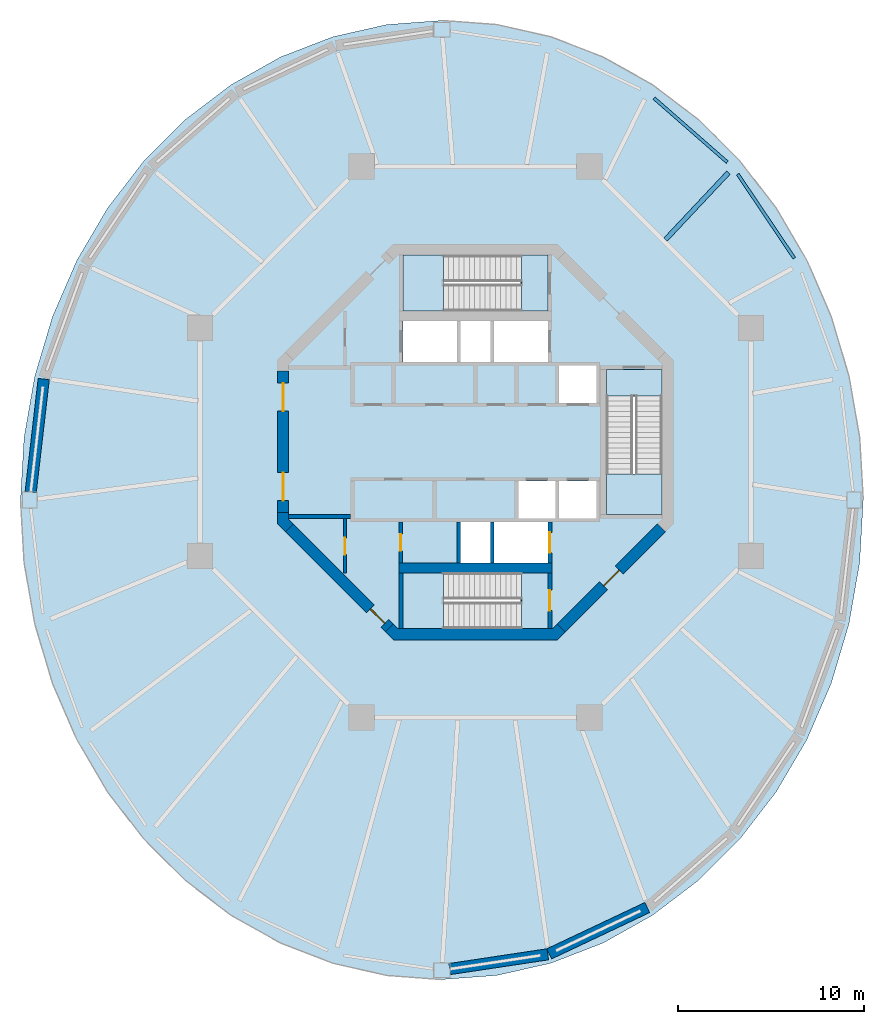
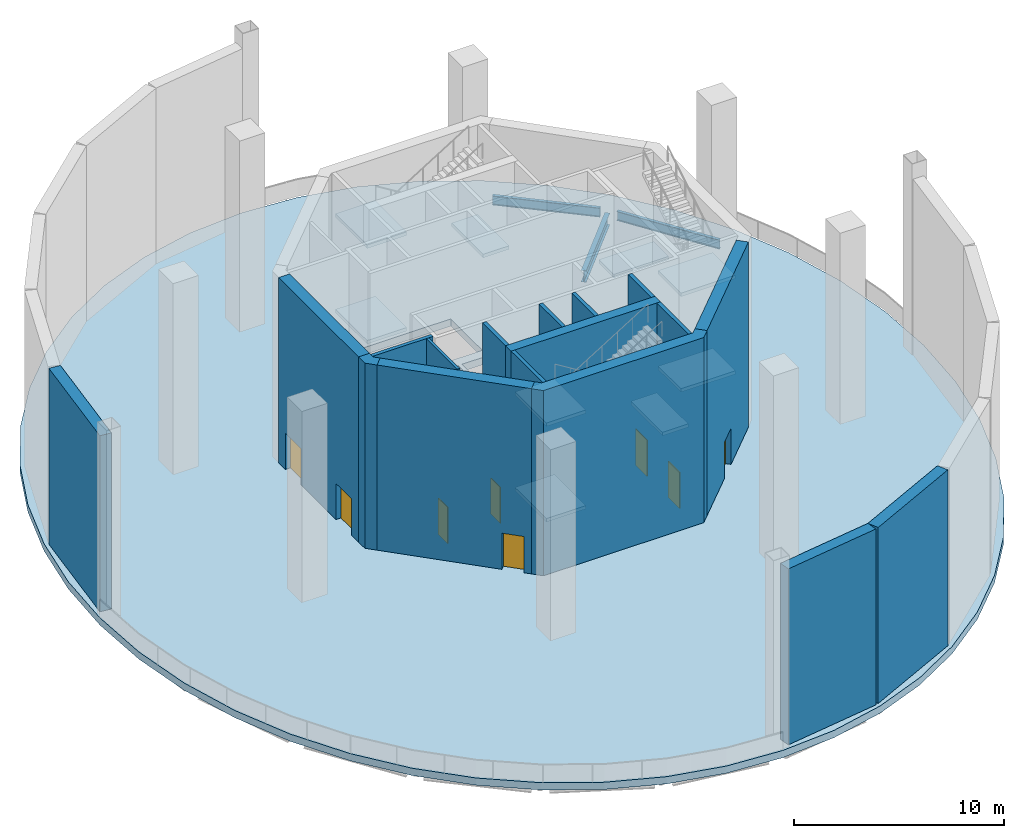
# One storey, part 2 of 7: 17 walls, 10 slabs, 8 doors, 3 beams, 8 openings, 3 elements without a shape of their own.
"""IFC4 building model written with IfcOpenShell, lengths in metres."""

from ifc_helpers import new_model, si_unit, direction, frame, frame_2d, origin, origin_2d, place, context, subcontext, project, spatial, polyline, rectangle, i_section, outline, extrude, material, layer, layer_set, material_profile, profile_set, type_object, element, fill, aggregate, save


model = new_model("IFC4")

# Units and contexts
model_context = context("Model", 3, precision=1e-05, world=origin(), true_north=direction((0.0, 1.0)))
body_context = subcontext(model_context, "Body", "Model", "MODEL_VIEW")
ifc_project = project(units=[si_unit("LENGTHUNIT", "METRE"), si_unit("AREAUNIT", "SQUARE_METRE"), si_unit("VOLUMEUNIT", "CUBIC_METRE"), si_unit("PLANEANGLEUNIT", "RADIAN"), si_unit("MASSUNIT", "GRAM", prefix="KILO")], contexts=[model_context])

# Site, building, storey
site_placement = place(None, origin())
site = spatial("IfcSite", under=ifc_project, at=site_placement, CompositionType="ELEMENT")
building_placement = place(site_placement, origin())
building = spatial("IfcBuilding", under=site, at=building_placement, Name="Nagisa Residences", CompositionType="ELEMENT")
storey_placement = place(building_placement, frame((0.0, 0.0, 299.199951171875)))
storey = spatial("IfcBuildingStorey", under=building, at=storey_placement, Name="L76", CompositionType="ELEMENT", Elevation=299.199951171875)

# Beams
ifc_material_1 = material(Name="Steel ASTM A572 Gr 50", Category="steel")
ifc_material_profile_1 = material_profile(ifc_material_1, i_section(OverallWidth=0.166015625, OverallDepth=0.534912109375, WebThickness=0.01025390625, FlangeThickness=0.0166015625, at=origin_2d()), Name="W530x85")
ifc_profile_set_1 = profile_set([ifc_material_profile_1], Name="Steel ASTM A572 Gr 50")
beam_type_1 = type_object("IfcBeamType", Name="Perimeter ring beam W530x85", PredefinedType="BEAM", material=ifc_profile_set_1)
beam_1_placement = place(storey_placement, frame((17.11474609375, 9.862060546875, -0.6875), z_axis=(-0.558066424866, 0.829796279479, 0.0), x_axis=(-0.829796279479, -0.558066424866, 0.0)))
element("IfcBeam", 1, at=beam_1_placement, inside=storey, type_object=beam_type_1, Name="beam:L76:pb03", PredefinedType="BEAM", context=body_context, shape_type="SweptSolid", body=[
    extrude(i_section(OverallWidth=0.166015625, OverallDepth=0.534912109375, WebThickness=0.01025390625, FlangeThickness=0.0166015625, at=origin_2d()), origin(), (0.0, 0.0, 1.0), 5.43212890625),
])
beam_2_placement = place(storey_placement, frame((13.514892578125, 15.015380859375, -0.6875), z_axis=(-0.752385480596, 0.658723074279, 0.0), x_axis=(-0.658723074279, -0.752385480596, 0.0)))
element("IfcBeam", 2, at=beam_2_placement, inside=storey, type_object=beam_type_1, Name="beam:L76:pb04", PredefinedType="BEAM", context=body_context, shape_type="SweptSolid", body=[
    extrude(i_section(OverallWidth=0.166015625, OverallDepth=0.534912109375, WebThickness=0.01025390625, FlangeThickness=0.0166015625, at=origin_2d()), origin(), (0.0, 0.0, 1.0), 5.220947265625),
])
ifc_material_2 = material(Name="Steel ASTM A572 Gr 50", Category="steel")
ifc_material_profile_2 = material_profile(ifc_material_2, i_section(OverallWidth=0.2529296875, OverallDepth=0.677978515625, WebThickness=0.01171875, FlangeThickness=0.016357421875, at=origin_2d()), Name="W690x125")
ifc_profile_set_2 = profile_set([ifc_material_profile_2], Name="Steel ASTM A572 Gr 50")
beam_type_2 = type_object("IfcBeamType", Name="Radial beam W690x125", PredefinedType="BEAM", material=ifc_profile_set_2)
beam_3_placement = place(storey_placement, frame((13.579833984375, 14.451416015625, -0.759033203125), z_axis=(-0.684797448891, -0.728733458812, 0.0), x_axis=(0.728733458812, -0.684797448891, 0.0)))
element("IfcBeam", 3, at=beam_3_placement, inside=storey, type_object=beam_type_2, Name="beam:L76:rb04", PredefinedType="BEAM", context=body_context, shape_type="SweptSolid", body=[
    extrude(i_section(OverallWidth=0.2529296875, OverallDepth=0.677978515625, WebThickness=0.01171875, FlangeThickness=0.016357421875, at=origin_2d()), origin(), (0.0, 0.0, 1.0), 4.9287109375),
])

# Slab
ifc_material_3 = material(Name="Concrete C40", Category="concrete")
ifc_layer_1 = layer(ifc_material_3, 0.419921875)
ifc_layer_set_1 = layer_set([ifc_layer_1], Name="Floor slab 420")
slab_type_1 = type_object("IfcSlabType", Name="Floor slab 420", PredefinedType="FLOOR", material=ifc_layer_set_1)
slab_1_placement = place(storey_placement, frame((0.0, 0.0, -0.419921875)))
element("IfcSlab", 4, at=slab_1_placement, inside=storey, type_object=slab_type_1, Name="slab:L76:floor", PredefinedType="FLOOR", context=body_context, shape_type="SweptSolid", body=[
    extrude(outline(polyline([(20.820068359375, -3.11767578125), (20.62646484375, 0.241943359375), (20.04931640625, 3.544189453125), (19.09814453125, 6.732666015625), (17.78955078125, 9.752197265625), (16.145751953125, 12.5517578125), (14.19482421875, 15.083251953125), (11.97021484375, 17.30322265625), (9.510009765625, 19.173828125), (6.856201171875, 20.6630859375), (4.054443359375, 21.745361328125), (1.152587890625, 22.402099609375), (-1.800048828125, 22.622314453125), (-4.75244140625, 22.402099609375), (-7.654541015625, 21.745361328125), (-10.456298828125, 20.6630859375), (-13.110107421875, 19.173828125), (-15.570068359375, 17.30322265625), (-17.794677734375, 15.083251953125), (-19.74560546875, 12.5517578125), (-21.389404296875, 9.752197265625), (-22.6982421875, 6.732666015625), (-23.649169921875, 3.544189453125), (-24.2265625, 0.241943359375), (-24.419921875, -3.11767578125), (-24.2265625, -6.4775390625), (-23.649169921875, -9.77978515625), (-22.6982421875, -12.968017578125), (-21.389404296875, -15.98779296875), (-19.74560546875, -18.787109375), (-17.794677734375, -21.318603515625), (-15.570068359375, -23.53857421875), (-13.110107421875, -25.4091796875), (-10.456298828125, -26.8984375), (-7.654541015625, -27.980712890625), (-4.75244140625, -28.637451171875), (-1.800048828125, -28.857666015625), (1.152587890625, -28.637451171875), (4.054443359375, -27.980712890625), (6.856201171875, -26.8984375), (9.510009765625, -25.4091796875), (11.97021484375, -23.53857421875), (14.19482421875, -21.318603515625), (16.145751953125, -18.787109375), (17.78955078125, -15.98779296875), (19.09814453125, -12.968017578125), (20.04931640625, -9.77978515625), (20.62646484375, -6.4775390625), (20.820068359375, -3.11767578125)]), holes=[polyline([(6.5, 2.10009765625), (6.5, 4.10009765625), (4.5, 4.10009765625), (4.5, 2.10009765625), (6.5, 2.10009765625)]), polyline([(4.300048828125, -4.10009765625), (4.300048828125, -2.10009765625), (2.300048828125, -2.10009765625), (2.300048828125, -4.10009765625), (4.300048828125, -4.10009765625)]), polyline([(6.5, -4.10009765625), (6.5, -2.10009765625), (4.5, -2.10009765625), (4.5, -4.10009765625), (6.5, -4.10009765625)]), polyline([(3.89990234375, 4.300048828125), (3.89990234375, 6.5), (1.0, 6.5), (1.0, 4.300048828125), (3.89990234375, 4.300048828125)]), polyline([(3.89990234375, -6.5), (3.89990234375, -4.300048828125), (1.0, -4.300048828125), (1.0, -6.5), (3.89990234375, -6.5)]), polyline([(-1.0, 4.300048828125), (-1.0, 6.5), (-3.89990234375, 6.5), (-3.89990234375, 4.300048828125), (-1.0, 4.300048828125)]), polyline([(0.800048828125, 4.300048828125), (0.800048828125, 6.5), (-0.800048828125, 6.5), (-0.800048828125, 4.300048828125), (0.800048828125, 4.300048828125)]), polyline([(0.800048828125, -6.5), (0.800048828125, -4.300048828125), (-0.800048828125, -4.300048828125), (-0.800048828125, -6.5), (0.800048828125, -6.5)]), polyline([(10.024658203125, -3.89990234375), (7.024658203125, -3.89990234375), (7.024658203125, 2.425048828125), (10.024658203125, 2.425048828125), (10.024658203125, -3.89990234375)]), polyline([(-3.89990234375, 7.024658203125), (-3.89990234375, 10.024658203125), (2.425048828125, 10.024658203125), (2.425048828125, 7.024658203125), (-3.89990234375, 7.024658203125)]), polyline([(-3.89990234375, -10.024658203125), (-3.89990234375, -7.024658203125), (2.425048828125, -7.024658203125), (2.425048828125, -10.024658203125), (-3.89990234375, -10.024658203125)])]), origin(), (0.0, 0.0, 1.0), 0.419921875),
])

# Stair, slabs
ifc_material_4 = material(Name="Concrete C60", Category="concrete")
stair_type = type_object("IfcStairType", Name="Exit stair", PredefinedType="HALF_TURN_STAIR", material=ifc_material_4)
stair_1_placement = place(storey_placement, origin())
stair_1 = element("IfcStair", 5, at=stair_1_placement, inside=storey, type_object=stair_type, Name="L76 Exit stair E", PredefinedType="HALF_TURN_STAIR")
ifc_material_5 = material(Name="Concrete C60", Category="concrete")
ifc_layer_2 = layer(ifc_material_5, 0.199951171875)
ifc_layer_set_2 = layer_set([ifc_layer_2], Name="Stair landing")
slab_type_2 = type_object("IfcSlabType", Name="Stair landing", PredefinedType="LANDING", material=ifc_layer_set_2)
slab_2_placement = place(storey_placement, frame((0.0, 0.0, 2.574951171875)))
slab_2 = element("IfcSlab", 6, at=slab_2_placement, type_object=slab_type_2, Name="ST-E landing 1", PredefinedType="LANDING", context=body_context, shape_type="SweptSolid", body=[
    extrude(outline(polyline([(7.024658203125, -1.72509765625), (7.024658203125, -3.89990234375), (10.024658203125, -3.89990234375), (10.024658203125, -1.72509765625), (7.024658203125, -1.72509765625)])), origin(), (0.0, 0.0, 1.0), 0.2001953125),
])
slab_3_placement = place(storey_placement, frame((0.0, 0.0, 5.35009765625)))
slab_3 = element("IfcSlab", 7, at=slab_3_placement, type_object=slab_type_2, Name="ST-E landing 2", PredefinedType="LANDING", context=body_context, shape_type="SweptSolid", body=[
    extrude(outline(polyline([(7.024658203125, 3.89990234375), (7.024658203125, 2.47509765625), (10.024658203125, 2.47509765625), (10.024658203125, 3.89990234375), (7.024658203125, 3.89990234375)])), origin(), (0.0, 0.0, 1.0), 0.199951171875),
])
slab_4_placement = place(storey_placement, frame((0.0, 0.0, 8.125)))
slab_4 = element("IfcSlab", 8, at=slab_4_placement, type_object=slab_type_2, Name="ST-E landing 3", PredefinedType="LANDING", context=body_context, shape_type="SweptSolid", body=[
    extrude(outline(polyline([(7.024658203125, -1.72509765625), (7.024658203125, -3.89990234375), (10.024658203125, -3.89990234375), (10.024658203125, -1.72509765625), (7.024658203125, -1.72509765625)])), origin(), (0.0, 0.0, 1.0), 0.199951171875),
])
aggregate(stair_1, [slab_2, slab_3, slab_4])

stair_2_placement = place(storey_placement, origin())
stair_2 = element("IfcStair", 9, at=stair_2_placement, inside=storey, type_object=stair_type, Name="L76 Exit stair N", PredefinedType="HALF_TURN_STAIR")
slab_5_placement = place(storey_placement, frame((0.0, 0.0, 2.574951171875)))
slab_5 = element("IfcSlab", 10, at=slab_5_placement, type_object=slab_type_2, Name="ST-N landing 1", PredefinedType="LANDING", context=body_context, shape_type="SweptSolid", body=[
    extrude(outline(polyline([(-1.72509765625, 10.024658203125), (-3.89990234375, 10.024658203125), (-3.89990234375, 7.024658203125), (-1.72509765625, 7.024658203125), (-1.72509765625, 10.024658203125)])), origin(), (0.0, 0.0, 1.0), 0.2001953125),
])
slab_6_placement = place(storey_placement, frame((0.0, 0.0, 5.35009765625)))
slab_6 = element("IfcSlab", 11, at=slab_6_placement, type_object=slab_type_2, Name="ST-N landing 2", PredefinedType="LANDING", context=body_context, shape_type="SweptSolid", body=[
    extrude(outline(polyline([(3.89990234375, 10.024658203125), (2.47509765625, 10.024658203125), (2.47509765625, 7.024658203125), (3.89990234375, 7.024658203125), (3.89990234375, 10.024658203125)])), origin(), (0.0, 0.0, 1.0), 0.199951171875),
])
slab_7_placement = place(storey_placement, frame((0.0, 0.0, 8.125)))
slab_7 = element("IfcSlab", 12, at=slab_7_placement, type_object=slab_type_2, Name="ST-N landing 3", PredefinedType="LANDING", context=body_context, shape_type="SweptSolid", body=[
    extrude(outline(polyline([(-1.72509765625, 10.024658203125), (-3.89990234375, 10.024658203125), (-3.89990234375, 7.024658203125), (-1.72509765625, 7.024658203125), (-1.72509765625, 10.024658203125)])), origin(), (0.0, 0.0, 1.0), 0.199951171875),
])
aggregate(stair_2, [slab_5, slab_6, slab_7])

stair_3_placement = place(storey_placement, origin())
stair_3 = element("IfcStair", 13, at=stair_3_placement, inside=storey, type_object=stair_type, Name="L76 Exit stair S", PredefinedType="HALF_TURN_STAIR")
slab_8_placement = place(storey_placement, frame((0.0, 0.0, 2.574951171875)))
slab_8 = element("IfcSlab", 14, at=slab_8_placement, type_object=slab_type_2, Name="ST-S landing 1", PredefinedType="LANDING", context=body_context, shape_type="SweptSolid", body=[
    extrude(outline(polyline([(-1.72509765625, -7.024658203125), (-3.89990234375, -7.024658203125), (-3.89990234375, -10.024658203125), (-1.72509765625, -10.024658203125), (-1.72509765625, -7.024658203125)])), origin(), (0.0, 0.0, 1.0), 0.2001953125),
])
slab_9_placement = place(storey_placement, frame((0.0, 0.0, 5.35009765625)))
slab_9 = element("IfcSlab", 15, at=slab_9_placement, type_object=slab_type_2, Name="ST-S landing 2", PredefinedType="LANDING", context=body_context, shape_type="SweptSolid", body=[
    extrude(outline(polyline([(3.89990234375, -7.024658203125), (2.47509765625, -7.024658203125), (2.47509765625, -10.024658203125), (3.89990234375, -10.024658203125), (3.89990234375, -7.024658203125)])), origin(), (0.0, 0.0, 1.0), 0.199951171875),
])
slab_10_placement = place(storey_placement, frame((0.0, 0.0, 8.125)))
slab_10 = element("IfcSlab", 16, at=slab_10_placement, type_object=slab_type_2, Name="ST-S landing 3", PredefinedType="LANDING", context=body_context, shape_type="SweptSolid", body=[
    extrude(outline(polyline([(-1.72509765625, -7.024658203125), (-3.89990234375, -7.024658203125), (-3.89990234375, -10.024658203125), (-1.72509765625, -10.024658203125), (-1.72509765625, -7.024658203125)])), origin(), (0.0, 0.0, 1.0), 0.199951171875),
])
aggregate(stair_3, [slab_8, slab_9, slab_10])

# Wall, opening, door
ifc_material_6 = material(Name="Gypsum board on steel studs", Category="steel")
ifc_layer_3 = layer(ifc_material_6, 0.14990234375)
ifc_layer_set_3 = layer_set([ifc_layer_3], Name="Core partition 150")
wall_type_1 = type_object("IfcWallType", Name="Core partition 150", PredefinedType="PARTITIONING", material=ifc_layer_set_3)
wall_1_placement = place(storey_placement, frame((-7.0, -7.02685546875, 0.0), z_axis=(0.0, 0.0, 1.0), x_axis=(0.0, 1.0, 0.0)))
wall_1 = element("IfcWall", 17, at=wall_1_placement, inside=storey, type_object=wall_type_1, Name="wall:L76:SWp", PredefinedType="PARTITIONING", context=body_context, shape_type="SweptSolid", body=[
    extrude(rectangle(XDim=2.9267578125, YDim=0.14990234375, at=frame_2d((1.46337890625, 0.0))), origin(), (0.0, 0.0, 1.0), 10.75),
])
opening_1_placement = place(wall_1_placement, frame((0.97607421875, 0.0, 0.0)))
opening_1 = element("IfcOpeningElement", 18, at=opening_1_placement, cuts=wall_1, Name="Opening L76-C11", PredefinedType="OPENING", context=body_context, shape_type="SweptSolid", body=[
    extrude(rectangle(XDim=0.89990234375, YDim=2.10009765625, at=frame_2d((0.449951171875, 1.050048828125))), frame((0.0, 0.0849609375, 0.0), z_axis=(0.0, -1.0, 0.0), x_axis=(1.0, 0.0, 0.0)), (0.0, 0.0, 1.0), 0.169921875),
])
ifc_material_7 = material(Name="Steel fire door", Category="steel")
door_type_1 = type_object("IfcDoorType", Name="Fire door EI30 900x2100 single swing", OperationType="NOTDEFINED", PredefinedType="DOOR", material=ifc_material_7)
door_1_placement = place(opening_1_placement, origin())
door_1 = element("IfcDoor", 19, at=door_1_placement, inside=storey, type_object=door_type_1, Name="Refuse room door L76", OperationType="SINGLE_SWING_LEFT", OverallHeight=2.10009765625, OverallWidth=0.89990234375, PredefinedType="DOOR", context=body_context, shape_type="SweptSolid", body=[
    extrude(rectangle(XDim=0.89990234375, YDim=2.10009765625, at=frame_2d((0.449951171875, 1.050048828125))), frame((0.0, 0.02490234375, 0.0), z_axis=(0.0, -1.0, 0.0), x_axis=(1.0, 0.0, 0.0)), (0.0, 0.0, 1.0), 0.050048828125),
])
fill(opening_1, door_1)

# Wall
ifc_material_8 = material(Name="Gypsum board on steel studs", Category="steel")
ifc_layer_4 = layer(ifc_material_8, 0.199951171875)
ifc_layer_set_4 = layer_set([ifc_layer_4], Name="Core partition 200")
wall_type_2 = type_object("IfcWallType", Name="Core partition 200", PredefinedType="PARTITIONING", material=ifc_layer_set_4)
wall_2_placement = place(storey_placement, frame((-10.024658203125, -4.0, 0.0), z_axis=(0.0, 0.0, 1.0), x_axis=(1.0, 0.0, 0.0)))
element("IfcWall", 20, at=wall_2_placement, inside=storey, type_object=wall_type_2, Name="wall:L76:PSW", PredefinedType="PARTITIONING", context=body_context, shape_type="SweptSolid", body=[
    extrude(rectangle(XDim=3.32470703125, YDim=0.199951171875, at=frame_2d((1.662353515625, 0.0))), origin(), (0.0, 0.0, 1.0), 10.75),
])

# Wall, openings, doors
ifc_material_9 = material(Name="Concrete C60", Category="concrete")
ifc_layer_5 = layer(ifc_material_9, 0.60009765625)
ifc_layer_set_5 = layer_set([ifc_layer_5], Name="Core shear wall 600")
wall_type_3 = type_object("IfcWallType", Name="Core shear wall 600", PredefinedType="SHEAR", material=ifc_layer_set_5)
wall_3_placement = place(storey_placement, frame((-10.32470703125, 3.80078125, 0.0), z_axis=(0.0, 0.0, 1.0), x_axis=(0.0, -1.0, 0.0)))
wall_3 = element("IfcWall", 21, at=wall_3_placement, inside=storey, type_object=wall_type_3, Name="wall:L76:core:flat4", PredefinedType="SHEAR", context=body_context, shape_type="SweptSolid", body=[
    extrude(rectangle(XDim=7.6015625, YDim=0.60009765625, at=frame_2d((3.80078125, 0.0))), origin(), (0.0, 0.0, 1.0), 10.75),
])
opening_2_placement = place(wall_3_placement, frame((0.65087890625, 0.0, 0.0)))
opening_2 = element("IfcOpeningElement", 22, at=opening_2_placement, cuts=wall_3, Name="Opening L76-C21", PredefinedType="OPENING", context=body_context, shape_type="SweptSolid", body=[
    extrude(rectangle(XDim=1.5, YDim=2.10009765625, at=frame_2d((0.75, 1.050048828125))), frame((0.0, 0.31005859375, 0.0), z_axis=(0.0, -1.0, 0.0), x_axis=(1.0, 0.0, 0.0)), (0.0, 0.0, 1.0), 0.6201171875),
])
opening_3_placement = place(wall_3_placement, frame((5.450927734375, 0.0, 0.0)))
opening_3 = element("IfcOpeningElement", 23, at=opening_3_placement, cuts=wall_3, Name="Opening L76-C22", PredefinedType="OPENING", context=body_context, shape_type="SweptSolid", body=[
    extrude(rectangle(XDim=1.5, YDim=2.10009765625, at=frame_2d((0.75, 1.050048828125))), frame((0.0, 0.31005859375, 0.0), z_axis=(0.0, -1.0, 0.0), x_axis=(1.0, 0.0, 0.0)), (0.0, 0.0, 1.0), 0.6201171875),
])
ifc_material_10 = material(Name="Steel fire door", Category="steel")
door_type_2 = type_object("IfcDoorType", Name="Fire door EI60 1500x2100 double door single swing", OperationType="DOUBLE_DOOR_SINGLE_SWING", PredefinedType="DOOR", material=ifc_material_10)
door_2_placement = place(opening_2_placement, origin())
door_2 = element("IfcDoor", 24, at=door_2_placement, inside=storey, type_object=door_type_2, Name="Lift lobby door L76 1", OperationType="DOUBLE_DOOR_SINGLE_SWING", OverallHeight=2.10009765625, OverallWidth=1.5, PredefinedType="DOOR", context=body_context, shape_type="SweptSolid", body=[
    extrude(rectangle(XDim=1.5, YDim=2.10009765625, at=frame_2d((0.75, 1.050048828125))), frame((0.0, 0.02490234375, 0.0), z_axis=(0.0, -1.0, 0.0), x_axis=(1.0, 0.0, 0.0)), (0.0, 0.0, 1.0), 0.050048828125),
])
fill(opening_2, door_2)
door_3_placement = place(opening_3_placement, origin())
door_3 = element("IfcDoor", 25, at=door_3_placement, inside=storey, type_object=door_type_2, Name="Lift lobby door L76 2", OperationType="DOUBLE_DOOR_SINGLE_SWING", OverallHeight=2.10009765625, OverallWidth=1.5, PredefinedType="DOOR", context=body_context, shape_type="SweptSolid", body=[
    extrude(rectangle(XDim=1.5, YDim=2.10009765625, at=frame_2d((0.75, 1.050048828125))), frame((0.0, 0.02490234375, 0.0), z_axis=(0.0, -1.0, 0.0), x_axis=(1.0, 0.0, 0.0)), (0.0, 0.0, 1.0), 0.050048828125),
])
fill(opening_3, door_3)

# Wall, opening, door
wall_4_placement = place(storey_placement, frame((-9.98828125, -4.613037109375, 0.0), z_axis=(0.0, 0.0, 1.0), x_axis=(0.707106781187, -0.707106781187, 0.0)))
wall_4 = element("IfcWall", 26, at=wall_4_placement, inside=storey, type_object=wall_type_3, Name="wall:L76:core:flat5", PredefinedType="SHEAR", context=body_context, shape_type="SweptSolid", body=[
    extrude(rectangle(XDim=7.601806640625, YDim=0.60009765625, at=frame_2d((3.80078125, 0.0))), origin(), (0.0, 0.0, 1.0), 10.75),
])
opening_4_placement = place(wall_4_placement, frame((6.15087890625, 0.0, 0.0)))
opening_4 = element("IfcOpeningElement", 27, at=opening_4_placement, cuts=wall_4, Name="Opening L76-C24", PredefinedType="OPENING", context=body_context, shape_type="SweptSolid", body=[
    extrude(rectangle(XDim=1.10009765625, YDim=2.10009765625, at=frame_2d((0.550048828125, 1.050048828125))), frame((0.0, 0.31005859375, 0.0), z_axis=(0.0, -1.0, 0.0), x_axis=(1.0, 0.0, 0.0)), (0.0, 0.0, 1.0), 0.6201171875),
])
ifc_material_11 = material(Name="Steel fire door", Category="steel")
door_type_3 = type_object("IfcDoorType", Name="Fire door EI60 1100x2100 single swing", OperationType="NOTDEFINED", PredefinedType="DOOR", material=ifc_material_11)
door_4_placement = place(opening_4_placement, origin())
door_4 = element("IfcDoor", 28, at=door_4_placement, inside=storey, type_object=door_type_3, Name="Housekeeping lobby door L76", OperationType="SINGLE_SWING_LEFT", OverallHeight=2.10009765625, OverallWidth=1.10009765625, PredefinedType="DOOR", context=body_context, shape_type="SweptSolid", body=[
    extrude(rectangle(XDim=1.10009765625, YDim=2.10009765625, at=frame_2d((0.550048828125, 1.050048828125))), frame((0.0, 0.02490234375, 0.0), z_axis=(0.0, -1.0, 0.0), x_axis=(1.0, 0.0, 0.0)), (0.0, 0.0, 1.0), 0.050048828125),
])
fill(opening_4, door_4)

wall_5_placement = place(storey_placement, frame((4.613037109375, -9.98828125, 0.0), z_axis=(0.0, 0.0, 1.0), x_axis=(0.707106781187, 0.707106781187, 0.0)))
wall_5 = element("IfcWall", 29, at=wall_5_placement, inside=storey, type_object=wall_type_3, Name="wall:L76:core:flat7", PredefinedType="SHEAR", context=body_context, shape_type="SweptSolid", body=[
    extrude(rectangle(XDim=7.601806640625, YDim=0.60009765625, at=frame_2d((3.80078125, 0.0))), origin(), (0.0, 0.0, 1.0), 10.75),
])
opening_5_placement = place(wall_5_placement, frame((3.200927734375, 0.0, 0.0)))
opening_5 = element("IfcOpeningElement", 30, at=opening_5_placement, cuts=wall_5, Name="Opening L76-C20", PredefinedType="OPENING", context=body_context, shape_type="SweptSolid", body=[
    extrude(rectangle(XDim=1.199951171875, YDim=2.10009765625, at=frame_2d((0.60009765625, 1.050048828125))), frame((0.0, 0.31005859375, 0.0), z_axis=(0.0, -1.0, 0.0), x_axis=(1.0, 0.0, 0.0)), (0.0, 0.0, 1.0), 0.6201171875),
])
ifc_material_12 = material(Name="Steel fire door", Category="steel")
door_type_4 = type_object("IfcDoorType", Name="Fire door EI60 1200x2100 single swing", OperationType="NOTDEFINED", PredefinedType="DOOR", material=ifc_material_12)
door_5_placement = place(opening_5_placement, origin())
door_5 = element("IfcDoor", 31, at=door_5_placement, inside=storey, type_object=door_type_4, Name="Firefighting lobby 2 door L76", OperationType="SINGLE_SWING_LEFT", OverallHeight=2.10009765625, OverallWidth=1.199951171875, PredefinedType="DOOR", context=body_context, shape_type="SweptSolid", body=[
    extrude(rectangle(XDim=1.199951171875, YDim=2.10009765625, at=frame_2d((0.60009765625, 1.050048828125))), frame((0.0, 0.02490234375, 0.0), z_axis=(0.0, -1.0, 0.0), x_axis=(1.0, 0.0, 0.0)), (0.0, 0.0, 1.0), 0.050048828125),
])
fill(opening_5, door_5)

# Walls
wall_6_placement = place(storey_placement, origin())
element("IfcWall", 32, at=wall_6_placement, inside=storey, type_object=wall_type_3, Name="wall:L76:core:pier4", PredefinedType="SHEAR", context=body_context, shape_type="SweptSolid", body=[
    extrude(outline(polyline([(-10.62451171875, -3.80078125), (-10.024658203125, -3.80078125), (-10.024658203125, -4.15234375), (-9.776123046875, -4.40087890625), (-10.200439453125, -4.8251953125), (-10.62451171875, -4.40087890625), (-10.62451171875, -3.80078125)])), origin(), (0.0, 0.0, 1.0), 10.75),
])
wall_7_placement = place(storey_placement, origin())
element("IfcWall", 33, at=wall_7_placement, inside=storey, type_object=wall_type_3, Name="wall:L76:core:flat6", PredefinedType="SHEAR", context=body_context, shape_type="SweptSolid", body=[
    extrude(outline(polyline([(-4.15234375, -10.024658203125), (4.15234375, -10.024658203125), (4.40087890625, -9.776123046875), (4.8251953125, -10.200439453125), (4.40087890625, -10.62451171875), (-4.40087890625, -10.62451171875), (-4.8251953125, -10.200439453125), (-4.40087890625, -9.776123046875), (-4.15234375, -10.024658203125)])), origin(), (0.0, 0.0, 1.0), 10.75),
])

# Wall, opening, door
ifc_material_13 = material(Name="Concrete C60", Category="concrete")
ifc_layer_6 = layer(ifc_material_13, 0.199951171875)
ifc_layer_set_6 = layer_set([ifc_layer_6], Name="Lift shaft wall 200")
wall_type_4 = type_object("IfcWallType", Name="Lift shaft wall 200", PredefinedType="SOLIDWALL", material=ifc_layer_set_6)
wall_8_placement = place(storey_placement, frame((4.0, -6.5, 0.0), z_axis=(0.0, 0.0, 1.0), x_axis=(0.0, 1.0, 0.0)))
wall_8 = element("IfcWall", 34, at=wall_8_placement, inside=storey, type_object=wall_type_4, Name="wall:L76:Sb3", PredefinedType="SOLIDWALL", context=body_context, shape_type="SweptSolid", body=[
    extrude(rectangle(XDim=2.199951171875, YDim=0.199951171875, at=frame_2d((1.10009765625, 0.0))), origin(), (0.0, 0.0, 1.0), 10.75),
])
opening_6_placement = place(wall_8_placement, frame((0.550048828125, 0.0, 0.0)))
opening_6 = element("IfcOpeningElement", 35, at=opening_6_placement, cuts=wall_8, Name="Opening L76-C05", PredefinedType="OPENING", context=body_context, shape_type="SweptSolid", body=[
    extrude(rectangle(XDim=1.10009765625, YDim=2.10009765625, at=frame_2d((0.550048828125, 1.050048828125))), frame((0.0, 0.10986328125, 0.0), z_axis=(0.0, -1.0, 0.0), x_axis=(1.0, 0.0, 0.0)), (0.0, 0.0, 1.0), 0.219970703125),
])
ifc_material_14 = material(Name="Stainless steel", Category="steel")
door_type_5 = type_object("IfcDoorType", Name="Lift landing door 1100x2100", OperationType="DOUBLE_DOOR_SLIDING", PredefinedType="DOOR", material=ifc_material_14)
door_6_placement = place(opening_6_placement, origin())
door_6 = element("IfcDoor", 36, at=door_6_placement, inside=storey, type_object=door_type_5, Name="Landing door FL2 L76", OperationType="DOUBLE_DOOR_SLIDING", OverallHeight=2.10009765625, OverallWidth=1.10009765625, PredefinedType="DOOR", context=body_context, shape_type="SweptSolid", body=[
    extrude(rectangle(XDim=1.10009765625, YDim=2.10009765625, at=frame_2d((0.550048828125, 1.050048828125))), frame((0.0, 0.02490234375, 0.0), z_axis=(0.0, -1.0, 0.0), x_axis=(1.0, 0.0, 0.0)), (0.0, 0.0, 1.0), 0.050048828125),
])
fill(opening_6, door_6)

wall_9_placement = place(storey_placement, frame((-4.0, -6.5, 0.0), z_axis=(0.0, 0.0, 1.0), x_axis=(0.0, 1.0, 0.0)))
wall_9 = element("IfcWall", 37, at=wall_9_placement, inside=storey, type_object=wall_type_4, Name="wall:L76:Sb4", PredefinedType="SOLIDWALL", context=body_context, shape_type="SweptSolid", body=[
    extrude(rectangle(XDim=2.199951171875, YDim=0.199951171875, at=frame_2d((1.10009765625, 0.0))), origin(), (0.0, 0.0, 1.0), 10.75),
])
opening_7_placement = place(wall_9_placement, frame((0.64990234375, 0.0, 0.0)))
opening_7 = element("IfcOpeningElement", 38, at=opening_7_placement, cuts=wall_9, Name="Opening L76-C12", PredefinedType="OPENING", context=body_context, shape_type="SweptSolid", body=[
    extrude(rectangle(XDim=0.89990234375, YDim=2.10009765625, at=frame_2d((0.449951171875, 1.050048828125))), frame((0.0, 0.10986328125, 0.0), z_axis=(0.0, -1.0, 0.0), x_axis=(1.0, 0.0, 0.0)), (0.0, 0.0, 1.0), 0.219970703125),
])
door_7_placement = place(opening_7_placement, frame((0.89990234375, 0.0, 0.0), x_axis=(-1.0, 0.0, 0.0)))
door_7 = element("IfcDoor", 39, at=door_7_placement, inside=storey, type_object=door_type_1, Name="Refuse room door L76", OperationType="SINGLE_SWING_RIGHT", OverallHeight=2.10009765625, OverallWidth=0.89990234375, PredefinedType="DOOR", context=body_context, shape_type="SweptSolid", body=[
    extrude(rectangle(XDim=0.89990234375, YDim=2.10009765625, at=frame_2d((0.449951171875, 1.050048828125))), frame((0.0, 0.02490234375, 0.0), z_axis=(0.0, -1.0, 0.0), x_axis=(1.0, 0.0, 0.0)), (0.0, 0.0, 1.0), 0.050048828125),
])
fill(opening_7, door_7)

# Walls
for number, where, z_axis, x_axis, name in (
    (40, (-0.89990234375, -6.5, 0.0), (0.0, 0.0, 1.0), (0.0, 1.0, 0.0), "wall:L76:Sb1"),
    (41, (0.89990234375, -6.5, 0.0), (0.0, 0.0, 1.0), (0.0, 1.0, 0.0), "wall:L76:Sb2"),
):
    element("IfcWall", number, at=place(storey_placement, frame(where, z_axis=z_axis, x_axis=x_axis)), inside=storey, type_object=wall_type_4, Name=name, PredefinedType="SOLIDWALL", context=body_context, shape_type="SweptSolid", body=[
        extrude(rectangle(XDim=2.199951171875, YDim=0.199951171875, at=frame_2d((1.10009765625, 0.0))), origin(), (0.0, 0.0, 1.0), 10.75),
    ])
ifc_material_15 = material(Name="Concrete C40/50", Category="concrete")
ifc_layer_7 = layer(ifc_material_15, 0.60009765625)
ifc_layer_set_7 = layer_set([ifc_layer_7], Name="PORTAL WALL 600")
wall_type_5 = type_object("IfcWallType", Name="PORTAL WALL 600", PredefinedType="SOLIDWALL", material=ifc_layer_set_7)
wall_10_placement = place(storey_placement, frame((-23.1708984375, 3.375244140625, 0.0), z_axis=(0.0, 0.0, 1.0), x_axis=(-0.114595272476, -0.993412262621, 0.0)))
element("IfcWall", 42, at=wall_10_placement, inside=storey, type_object=wall_type_5, Name="wall:L76:portal06", PredefinedType="SOLIDWALL", context=body_context, shape_type="SweptSolid", body=[
    extrude(rectangle(XDim=6.10595703125, YDim=0.60009765625, at=frame_2d((3.052978515625, 0.0))), origin(), (0.0, 0.0, 1.0), 10.215087890625),
])
wall_11_placement = place(storey_placement, frame((-1.374755859375, -28.293701171875, 0.0), z_axis=(0.0, 0.0, 1.0), x_axis=(0.988908729879, 0.148524489459, 0.0)))
element("IfcWall", 43, at=wall_11_placement, inside=storey, type_object=wall_type_5, Name="wall:L76:portal07", PredefinedType="SOLIDWALL", context=body_context, shape_type="SweptSolid", body=[
    extrude(rectangle(XDim=5.3193359375, YDim=0.60009765625, at=frame_2d((2.65966796875, 0.0))), origin(), (0.0, 0.0, 1.0), 10.215087890625),
])
wall_12_placement = place(storey_placement, frame((3.961181640625, -27.48046875, 0.0), z_axis=(0.0, 0.0, 1.0), x_axis=(0.904106442952, 0.427307313082, 0.0)))
element("IfcWall", 44, at=wall_12_placement, inside=storey, type_object=wall_type_5, Name="wall:L76:portal08", PredefinedType="SOLIDWALL", context=body_context, shape_type="SweptSolid", body=[
    extrude(rectangle(XDim=5.82080078125, YDim=0.60009765625, at=frame_2d((2.910400390625, 0.0))), origin(), (0.0, 0.0, 1.0), 10.215087890625),
])

# Wall, opening, door
ifc_material_16 = material(Name="Concrete C60", Category="concrete")
ifc_layer_8 = layer(ifc_material_16, 0.199951171875)
ifc_layer_set_8 = layer_set([ifc_layer_8], Name="Stair enclosure wall 200")
wall_type_6 = type_object("IfcWallType", Name="Stair enclosure wall 200", PredefinedType="SOLIDWALL", material=ifc_layer_set_8)
wall_13_placement = place(storey_placement, frame((4.0, -10.024658203125, 0.0), z_axis=(0.0, 0.0, 1.0), x_axis=(0.0, 1.0, 0.0)))
wall_13 = element("IfcWall", 45, at=wall_13_placement, inside=storey, type_object=wall_type_6, Name="wall:L76:SS_e", PredefinedType="SOLIDWALL", context=body_context, shape_type="SweptSolid", body=[
    extrude(rectangle(XDim=3.0, YDim=0.199951171875, at=frame_2d((1.5, 0.0))), origin(), (0.0, 0.0, 1.0), 10.75),
])
opening_8_placement = place(wall_13_placement, frame((0.974609375, 0.0, 0.0)))
opening_8 = element("IfcOpeningElement", 46, at=opening_8_placement, cuts=wall_13, Name="Opening L76-C09", PredefinedType="OPENING", context=body_context, shape_type="SweptSolid", body=[
    extrude(rectangle(XDim=1.10009765625, YDim=2.10009765625, at=frame_2d((0.550048828125, 1.050048828125))), frame((0.0, 0.10986328125, 0.0), z_axis=(0.0, -1.0, 0.0), x_axis=(1.0, 0.0, 0.0)), (0.0, 0.0, 1.0), 0.219970703125),
])
ifc_material_17 = material(Name="Steel fire door", Category="steel")
door_type_6 = type_object("IfcDoorType", Name="Fire door EI90 1100x2100 single swing", OperationType="NOTDEFINED", PredefinedType="DOOR", material=ifc_material_17)
door_8_placement = place(opening_8_placement, origin())
door_8 = element("IfcDoor", 47, at=door_8_placement, inside=storey, type_object=door_type_6, Name="Stair door ST-S L76", OperationType="SINGLE_SWING_LEFT", OverallHeight=2.10009765625, OverallWidth=1.10009765625, PredefinedType="DOOR", context=body_context, shape_type="SweptSolid", body=[
    extrude(rectangle(XDim=1.10009765625, YDim=2.10009765625, at=frame_2d((0.550048828125, 1.050048828125))), frame((0.0, 0.02490234375, 0.0), z_axis=(0.0, -1.0, 0.0), x_axis=(1.0, 0.0, 0.0)), (0.0, 0.0, 1.0), 0.050048828125),
])
fill(opening_8, door_8)

# Walls
wall_14_placement = place(storey_placement, origin())
element("IfcWall", 48, at=wall_14_placement, inside=storey, type_object=wall_type_6, Name="wall:L76:SS_w", PredefinedType="SOLIDWALL", context=body_context, shape_type="SweptSolid", body=[
    extrude(outline(polyline([(-3.89990234375, -10.024658203125), (-4.10009765625, -10.024658203125), (-4.10009765625, -7.024658203125), (-3.89990234375, -7.024658203125), (-3.89990234375, -10.024658203125)])), origin(), (0.0, 0.0, 1.0), 10.75),
])
wall_15_placement = place(storey_placement, origin())
element("IfcWall", 49, at=wall_15_placement, inside=storey, type_object=wall_type_6, Name="wall:L76:SS_n", PredefinedType="SOLIDWALL", context=body_context, shape_type="SweptSolid", body=[
    extrude(outline(polyline([(4.10009765625, -7.024658203125), (-4.10009765625, -7.024658203125), (-4.10009765625, -6.5), (4.10009765625, -6.5), (4.10009765625, -7.024658203125)])), origin(), (0.0, 0.0, 1.0), 10.75),
])

save(model, "model.ifc")
